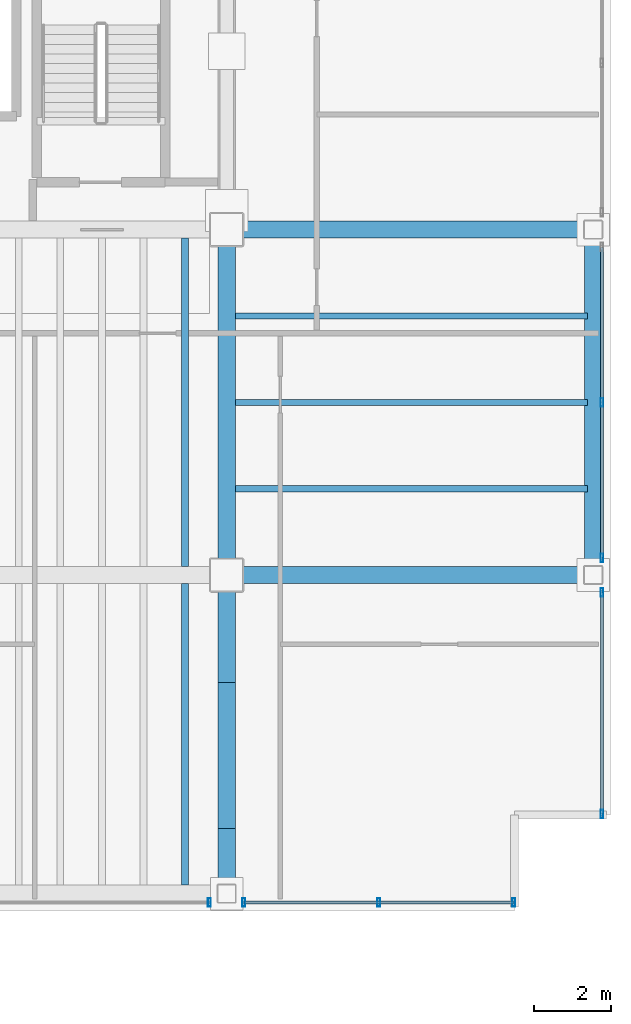
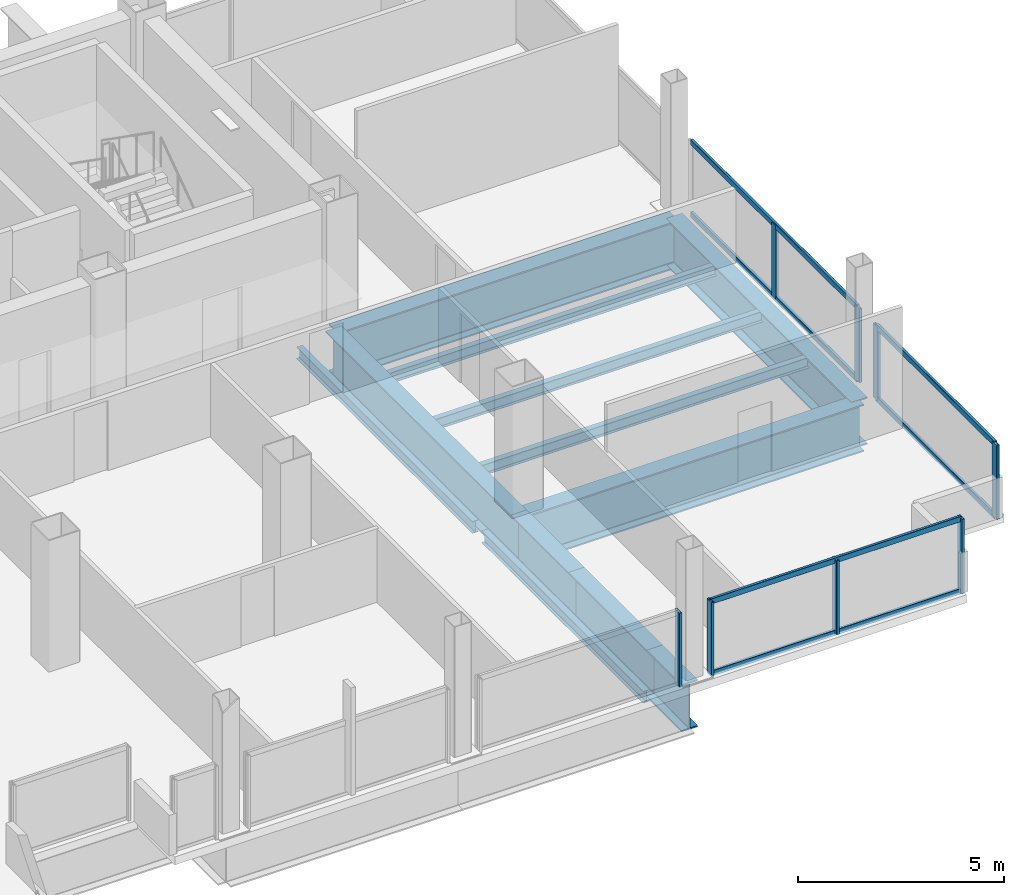
# One storey, part 12 of 17: 14 members, 12 beams, 4 elements without a shape of their own.
"""IFC4 building model written with IfcOpenShell, lengths in metres."""

from ifc_helpers import new_model, si_unit, direction, frame, origin, origin_2d, place, context, subcontext, project, spatial, hollow_rectangle, i_section, extrude, material, material_profile, profile_set, type_object, element, aggregate, save


model = new_model("IFC4")

# Units and contexts
model_context = context("Model", 3, precision=1e-05, world=origin(), true_north=direction((0.0, 1.0)))
body_context = subcontext(model_context, "Body", "Model", "MODEL_VIEW")
ifc_project = project(units=[si_unit("LENGTHUNIT", "METRE"), si_unit("AREAUNIT", "SQUARE_METRE"), si_unit("VOLUMEUNIT", "CUBIC_METRE"), si_unit("PLANEANGLEUNIT", "RADIAN"), si_unit("MASSUNIT", "GRAM", prefix="KILO")], contexts=[model_context])

# Site, building, storey
site_placement = place(None, origin())
site = spatial("IfcSite", under=ifc_project, at=site_placement, CompositionType="ELEMENT")
building_placement = place(site_placement, origin())
building = spatial("IfcBuilding", under=site, at=building_placement, Name="Noeulbin Bourse Tower", CompositionType="ELEMENT")
storey_placement = place(building_placement, frame((0.0, 0.0, 196.800048828125)))
storey = spatial("IfcBuildingStorey", under=building, at=storey_placement, Name="L49", CompositionType="ELEMENT", Elevation=196.800048828125)

# Beams
ifc_material_1 = material(Name="Steel S355", Category="steel")
ifc_material_profile_1 = material_profile(ifc_material_1, i_section(OverallWidth=0.159912109375, OverallDepth=0.320068359375, WebThickness=0.006591796875, FlangeThickness=0.010009765625, FilletRadius=0.012939453125, at=origin_2d()), Name="H-320x160x6.5x10", Category="LoadBearing")
ifc_profile_set_1 = profile_set([ifc_material_profile_1], Name="Steel S355")
beam_type_1 = type_object("IfcBeamType", Name="BM-JST-320", PredefinedType="JOIST", material=ifc_profile_set_1)
for number, where, z_axis, x_axis, name in (
    (1, (44.22509765625, 22.25, -0.400146484375), (1.0, 0.0, 0.0), (0.0, 1.0, 0.0), "Wing Composite Joist L49-E50"),
    (2, (44.22509765625, 24.5, -0.400146484375), (1.0, 0.0, 0.0), (0.0, 1.0, 0.0), "Wing Composite Joist L49-E51"),
    (3, (44.22509765625, 26.75, -0.400146484375), (1.0, 0.0, 0.0), (0.0, 1.0, 0.0), "Wing Composite Joist L49-E52"),
):
    element("IfcBeam", number, at=place(storey_placement, frame(where, z_axis=z_axis, x_axis=x_axis)), inside=storey, type_object=beam_type_1, Name=name, PredefinedType="JOIST", context=body_context, shape_type="SweptSolid", body=[
        extrude(i_section(OverallWidth=0.159912109375, OverallDepth=0.320068359375, WebThickness=0.006591796875, FlangeThickness=0.010009765625, FilletRadius=0.012939453125, at=origin_2d()), origin(), (0.0, 0.0, 1.0), 9.1748046875),
    ])
ifc_material_profile_2 = material_profile(ifc_material_1, i_section(OverallWidth=0.175048828125, OverallDepth=0.35009765625, WebThickness=0.007080078125, FlangeThickness=0.010986328125, FilletRadius=0.013916015625, at=origin_2d()), Name="H-350x175x7x11", Category="LoadBearing")
ifc_profile_set_2 = profile_set([ifc_material_profile_2], Name="Steel S355")
beam_type_2 = type_object("IfcBeamType", Name="BM-JST-350", PredefinedType="JOIST", material=ifc_profile_set_2)
beam_1_placement = place(storey_placement, frame((42.916748046875, 11.925048828125, -0.4150390625), z_axis=(0.0, 1.0, 0.0), x_axis=(-1.0, 0.0, 0.0)))
element("IfcBeam", 4, at=beam_1_placement, inside=storey, type_object=beam_type_2, Name="Tower Composite Joist L49-45", PredefinedType="JOIST", context=body_context, shape_type="SweptSolid", body=[
    extrude(i_section(OverallWidth=0.175048828125, OverallDepth=0.35009765625, WebThickness=0.007080078125, FlangeThickness=0.010986328125, FilletRadius=0.013916015625, at=origin_2d()), origin(), (0.0, 0.0, 1.0), 7.849853515625),
])
beam_2_placement = place(storey_placement, frame((42.916748046875, 20.22509765625, -0.4150390625), z_axis=(0.0, 1.0, 0.0), x_axis=(-1.0, 0.0, 0.0)))
element("IfcBeam", 5, at=beam_2_placement, inside=storey, type_object=beam_type_2, Name="Tower Composite Joist L49-46", PredefinedType="JOIST", context=body_context, shape_type="SweptSolid", body=[
    extrude(i_section(OverallWidth=0.175048828125, OverallDepth=0.35009765625, WebThickness=0.007080078125, FlangeThickness=0.010986328125, FilletRadius=0.013916015625, at=origin_2d()), origin(), (0.0, 0.0, 1.0), 8.5498046875),
])
ifc_material_2 = material(Name="Steel S460", Category="steel")
ifc_material_profile_3 = material_profile(ifc_material_2, i_section(OverallWidth=0.449951171875, OverallDepth=1.39990234375, WebThickness=0.02392578125, FlangeThickness=0.0400390625, FilletRadius=0.02392578125, at=origin_2d()), Name="PG-1400x450x24x40", Category="LoadBearing")
ifc_profile_set_3 = profile_set([ifc_material_profile_3], Name="Steel S460")
beam_type_3 = type_object("IfcBeamType", Name="BM-TRF-1400", PredefinedType="USERDEFINED", material=ifc_profile_set_3)
for number, where, z_axis, x_axis, name in (
    (6, (44.0, 20.0, -0.93994140625), (1.0, 0.0, 0.0), (0.0, 1.0, 0.0), "Tower Primary Girder EW L49-1.6"),
    (7, (44.0, 29.0, -0.93994140625), (1.0, 0.0, 0.0), (0.0, 1.0, 0.0), "Tower Primary Girder EW L49-2.6"),
):
    element("IfcBeam", number, at=place(storey_placement, frame(where, z_axis=z_axis, x_axis=x_axis)), inside=storey, type_object=beam_type_3, Name=name, ObjectType="GIRDER", PredefinedType="USERDEFINED", context=body_context, shape_type="SweptSolid", body=[
        extrude(i_section(OverallWidth=0.449951171875, OverallDepth=1.39990234375, WebThickness=0.02392578125, FlangeThickness=0.0400390625, FilletRadius=0.02392578125, at=origin_2d()), origin(), (0.0, 0.0, 1.0), 9.550048828125),
    ])
beam_3_placement = place(storey_placement, frame((44.0, 11.699951171875, -0.93994140625), z_axis=(0.0, 1.0, 0.0), x_axis=(-1.0, 0.0, 0.0)))
element("IfcBeam", 8, at=beam_3_placement, inside=storey, type_object=beam_type_3, Name="Tower Primary Girder NS L49-5.1", ObjectType="GIRDER", PredefinedType="USERDEFINED", context=body_context, shape_type="SweptSolid", body=[
    extrude(i_section(OverallWidth=0.449951171875, OverallDepth=1.39990234375, WebThickness=0.02392578125, FlangeThickness=0.0400390625, FilletRadius=0.02392578125, at=origin_2d()), origin(), (0.0, 0.0, 1.0), 1.699951171875),
])
beam_4_placement = place(storey_placement, frame((44.0, 13.39990234375, -0.93994140625), z_axis=(0.0, 1.0, 0.0), x_axis=(-1.0, 0.0, 0.0)))
element("IfcBeam", 9, at=beam_4_placement, inside=storey, type_object=beam_type_3, Name="Tower Primary Girder NS L49-5.2", ObjectType="GIRDER", PredefinedType="USERDEFINED", context=body_context, shape_type="SweptSolid", body=[
    extrude(i_section(OverallWidth=0.449951171875, OverallDepth=1.39990234375, WebThickness=0.02392578125, FlangeThickness=0.0400390625, FilletRadius=0.02392578125, at=origin_2d()), origin(), (0.0, 0.0, 1.0), 3.800048828125),
])
beam_5_placement = place(storey_placement, frame((44.0, 17.199951171875, -0.93994140625), z_axis=(0.0, 1.0, 0.0), x_axis=(-1.0, 0.0, 0.0)))
element("IfcBeam", 10, at=beam_5_placement, inside=storey, type_object=beam_type_3, Name="Tower Primary Girder NS L49-5.3", ObjectType="GIRDER", PredefinedType="USERDEFINED", context=body_context, shape_type="SweptSolid", body=[
    extrude(i_section(OverallWidth=0.449951171875, OverallDepth=1.39990234375, WebThickness=0.02392578125, FlangeThickness=0.0400390625, FilletRadius=0.02392578125, at=origin_2d()), origin(), (0.0, 0.0, 1.0), 2.800048828125),
])
for number, where, z_axis, x_axis, name in (
    (11, (44.0, 20.0, -0.93994140625), (0.0, 1.0, 0.0), (-1.0, 0.0, 0.0), "Tower Primary Girder NS L49-5.4"),
    (12, (53.550048828125, 20.0, -0.93994140625), (0.0, 1.0, 0.0), (-1.0, 0.0, 0.0), "East Spandrel L49-1"),
):
    element("IfcBeam", number, at=place(storey_placement, frame(where, z_axis=z_axis, x_axis=x_axis)), inside=storey, type_object=beam_type_3, Name=name, ObjectType="GIRDER", PredefinedType="USERDEFINED", context=body_context, shape_type="SweptSolid", body=[
        extrude(i_section(OverallWidth=0.449951171875, OverallDepth=1.39990234375, WebThickness=0.02392578125, FlangeThickness=0.0400390625, FilletRadius=0.02392578125, at=origin_2d()), origin(), (0.0, 0.0, 1.0), 9.0),
    ])

# Curtain wall, member
ifc_material_3 = material(Name="Dark Tinted Triple Glazing", Category="glass")
curtain_wall_type = type_object("IfcCurtainWallType", Name="CW-SYS-3", PredefinedType="NOTDEFINED", material=ifc_material_3)
curtain_wall_1_placement = place(storey_placement, origin())
curtain_wall_1 = element("IfcCurtainWall", 13, at=curtain_wall_1_placement, inside=storey, type_object=curtain_wall_type, Name="Unitised Curtain Wall CW-L49-S3-S3", PredefinedType="NOTDEFINED")
ifc_material_4 = material(Name="Anodised Aluminium 6063-T6", Category="aluminium")
ifc_material_profile_4 = material_profile(ifc_material_4, hollow_rectangle(XDim=0.074951171875, YDim=0.219970703125, WallThickness=0.0048828125, InnerFilletRadius=0.00244140625, OuterFilletRadius=0.0048828125, at=origin_2d()), Name="ALU-MULL-75x220x5", Category="LoadBearing")
ifc_profile_set_4 = profile_set([ifc_material_profile_4], Name="Anodised Aluminium 6063-T6")
member_type_1 = type_object("IfcMemberType", Name="CW-SYS-3-MUL", PredefinedType="MULLION", material=ifc_profile_set_4)
member_1_placement = place(storey_placement, frame((43.550048828125, 11.469970703125, -0.02001953125), z_axis=(0.0, 0.0, 1.0), x_axis=(1.0, 0.0, 0.0)))
member_1 = element("IfcMember", 14, at=member_1_placement, type_object=member_type_1, Name="Curtain Wall Mullion CW-L49-S3-S3-M01", PredefinedType="MULLION", context=body_context, shape_type="SweptSolid", body=[
    extrude(hollow_rectangle(XDim=0.074951171875, YDim=0.219970703125, WallThickness=0.0048828125, InnerFilletRadius=0.00244140625, OuterFilletRadius=0.0048828125, at=origin_2d()), origin(), (0.0, 0.0, 1.0), 2.199951171875),
])
aggregate(curtain_wall_1, [member_1])

# Curtain wall, members
curtain_wall_2_placement = place(storey_placement, origin())
curtain_wall_2 = element("IfcCurtainWall", 15, at=curtain_wall_2_placement, inside=storey, type_object=curtain_wall_type, Name="Unitised Curtain Wall CW-L49-S3-S4", PredefinedType="NOTDEFINED")
member_2_placement = place(storey_placement, frame((44.449951171875, 11.469970703125, -0.02001953125), z_axis=(0.0, 0.0, 1.0), x_axis=(1.0, 0.0, 0.0)))
member_2 = element("IfcMember", 16, at=member_2_placement, type_object=member_type_1, Name="Curtain Wall Mullion CW-L49-S3-S4-M00", PredefinedType="MULLION", context=body_context, shape_type="SweptSolid", body=[
    extrude(hollow_rectangle(XDim=0.074951171875, YDim=0.219970703125, WallThickness=0.0048828125, InnerFilletRadius=0.00244140625, OuterFilletRadius=0.0048828125, at=origin_2d()), origin(), (0.0, 0.0, 1.0), 2.199951171875),
])
member_3_placement = place(storey_placement, frame((47.965087890625, 11.469970703125, -0.02001953125), z_axis=(0.0, 0.0, 1.0), x_axis=(1.0, 0.0, 0.0)))
member_3 = element("IfcMember", 17, at=member_3_placement, type_object=member_type_1, Name="Curtain Wall Mullion CW-L49-S3-S4-M01", PredefinedType="MULLION", context=body_context, shape_type="SweptSolid", body=[
    extrude(hollow_rectangle(XDim=0.074951171875, YDim=0.219970703125, WallThickness=0.0048828125, InnerFilletRadius=0.00244140625, OuterFilletRadius=0.0048828125, at=origin_2d()), origin(), (0.0, 0.0, 1.0), 2.199951171875),
])
member_4_placement = place(storey_placement, frame((51.47998046875, 11.469970703125, -0.02001953125), z_axis=(0.0, 0.0, 1.0), x_axis=(1.0, 0.0, 0.0)))
member_4 = element("IfcMember", 18, at=member_4_placement, type_object=member_type_1, Name="Curtain Wall Mullion CW-L49-S3-S4-M02", PredefinedType="MULLION", context=body_context, shape_type="SweptSolid", body=[
    extrude(hollow_rectangle(XDim=0.074951171875, YDim=0.219970703125, WallThickness=0.0048828125, InnerFilletRadius=0.00244140625, OuterFilletRadius=0.0048828125, at=origin_2d()), origin(), (0.0, 0.0, 1.0), 2.199951171875),
])

curtain_wall_3_placement = place(storey_placement, origin())
curtain_wall_3 = element("IfcCurtainWall", 19, at=curtain_wall_3_placement, inside=storey, type_object=curtain_wall_type, Name="Unitised Curtain Wall CW-L49-E-S1", PredefinedType="NOTDEFINED")
member_5_placement = place(storey_placement, frame((53.780029296875, 13.77001953125, -0.02001953125), z_axis=(0.0, 0.0, 1.0), x_axis=(1.0, 0.0, 0.0)))
member_5 = element("IfcMember", 20, at=member_5_placement, type_object=member_type_1, Name="Curtain Wall Mullion CW-L49-E-S1-M00", PredefinedType="MULLION", context=body_context, shape_type="SweptSolid", body=[
    extrude(hollow_rectangle(XDim=0.074951171875, YDim=0.219970703125, WallThickness=0.0048828125, InnerFilletRadius=0.00244140625, OuterFilletRadius=0.0048828125, at=origin_2d()), origin(), (0.0, 0.0, 1.0), 2.199951171875),
])
member_6_placement = place(storey_placement, frame((53.780029296875, 19.550048828125, -0.02001953125), z_axis=(0.0, 0.0, 1.0), x_axis=(1.0, 0.0, 0.0)))
member_6 = element("IfcMember", 21, at=member_6_placement, type_object=member_type_1, Name="Curtain Wall Mullion CW-L49-E-S1-M01", PredefinedType="MULLION", context=body_context, shape_type="SweptSolid", body=[
    extrude(hollow_rectangle(XDim=0.074951171875, YDim=0.219970703125, WallThickness=0.0048828125, InnerFilletRadius=0.00244140625, OuterFilletRadius=0.0048828125, at=origin_2d()), origin(), (0.0, 0.0, 1.0), 2.199951171875),
])

curtain_wall_4_placement = place(storey_placement, origin())
curtain_wall_4 = element("IfcCurtainWall", 22, at=curtain_wall_4_placement, inside=storey, type_object=curtain_wall_type, Name="Unitised Curtain Wall CW-L49-E-S2", PredefinedType="NOTDEFINED")
member_7_placement = place(storey_placement, frame((53.780029296875, 20.449951171875, -0.02001953125), z_axis=(0.0, 0.0, 1.0), x_axis=(1.0, 0.0, 0.0)))
member_7 = element("IfcMember", 23, at=member_7_placement, type_object=member_type_1, Name="Curtain Wall Mullion CW-L49-E-S2-M00", PredefinedType="MULLION", context=body_context, shape_type="SweptSolid", body=[
    extrude(hollow_rectangle(XDim=0.074951171875, YDim=0.219970703125, WallThickness=0.0048828125, InnerFilletRadius=0.00244140625, OuterFilletRadius=0.0048828125, at=origin_2d()), origin(), (0.0, 0.0, 1.0), 2.199951171875),
])
member_8_placement = place(storey_placement, frame((53.780029296875, 24.5, -0.02001953125), z_axis=(0.0, 0.0, 1.0), x_axis=(1.0, 0.0, 0.0)))
member_8 = element("IfcMember", 24, at=member_8_placement, type_object=member_type_1, Name="Curtain Wall Mullion CW-L49-E-S2-M01", PredefinedType="MULLION", context=body_context, shape_type="SweptSolid", body=[
    extrude(hollow_rectangle(XDim=0.074951171875, YDim=0.219970703125, WallThickness=0.0048828125, InnerFilletRadius=0.00244140625, OuterFilletRadius=0.0048828125, at=origin_2d()), origin(), (0.0, 0.0, 1.0), 2.199951171875),
])

# Member
ifc_material_profile_5 = material_profile(ifc_material_4, hollow_rectangle(XDim=0.074951171875, YDim=0.159912109375, WallThickness=0.0048828125, InnerFilletRadius=0.00244140625, OuterFilletRadius=0.0048828125, at=origin_2d()), Name="ALU-TRAN-75x160x5", Category="LoadBearing")
ifc_profile_set_5 = profile_set([ifc_material_profile_5], Name="Anodised Aluminium 6063-T6")
member_type_2 = type_object("IfcMemberType", Name="CW-SYS-3-TRN", PredefinedType="USERDEFINED", material=ifc_profile_set_5)
member_9_placement = place(storey_placement, frame((44.4599609375, 11.469970703125, 0.010009765625), z_axis=(1.0, 0.0, 0.0), x_axis=(0.0, 1.0, 0.0)))
member_9 = element("IfcMember", 25, at=member_9_placement, type_object=member_type_2, Name="Curtain Wall Transom CW-L49-S3-S4-T00", ObjectType="TRANSOM", PredefinedType="USERDEFINED", context=body_context, shape_type="SweptSolid", body=[
    extrude(hollow_rectangle(XDim=0.074951171875, YDim=0.159912109375, WallThickness=0.0048828125, InnerFilletRadius=0.00244140625, OuterFilletRadius=0.0048828125, at=origin_2d()), origin(), (0.0, 0.0, 1.0), 7.010009765625),
])

member_10_placement = place(storey_placement, frame((44.4599609375, 11.469970703125, 2.14990234375), z_axis=(1.0, 0.0, 0.0), x_axis=(0.0, 1.0, 0.0)))
member_10 = element("IfcMember", 26, at=member_10_placement, type_object=member_type_2, Name="Curtain Wall Transom CW-L49-S3-S4-T01", ObjectType="TRANSOM", PredefinedType="USERDEFINED", context=body_context, shape_type="SweptSolid", body=[
    extrude(hollow_rectangle(XDim=0.074951171875, YDim=0.159912109375, WallThickness=0.0048828125, InnerFilletRadius=0.00244140625, OuterFilletRadius=0.0048828125, at=origin_2d()), origin(), (0.0, 0.0, 1.0), 7.010009765625),
])

aggregate(curtain_wall_2, [member_2, member_3, member_4, member_9, member_10])

member_11_placement = place(storey_placement, frame((53.780029296875, 13.780029296875, 0.010009765625), z_axis=(0.0, 1.0, 0.0), x_axis=(-1.0, 0.0, 0.0)))
member_11 = element("IfcMember", 27, at=member_11_placement, type_object=member_type_2, Name="Curtain Wall Transom CW-L49-E-S1-T00", ObjectType="TRANSOM", PredefinedType="USERDEFINED", context=body_context, shape_type="SweptSolid", body=[
    extrude(hollow_rectangle(XDim=0.074951171875, YDim=0.159912109375, WallThickness=0.0048828125, InnerFilletRadius=0.00244140625, OuterFilletRadius=0.0048828125, at=origin_2d()), origin(), (0.0, 0.0, 1.0), 5.760009765625),
])

member_12_placement = place(storey_placement, frame((53.780029296875, 13.780029296875, 2.14990234375), z_axis=(0.0, 1.0, 0.0), x_axis=(-1.0, 0.0, 0.0)))
member_12 = element("IfcMember", 28, at=member_12_placement, type_object=member_type_2, Name="Curtain Wall Transom CW-L49-E-S1-T01", ObjectType="TRANSOM", PredefinedType="USERDEFINED", context=body_context, shape_type="SweptSolid", body=[
    extrude(hollow_rectangle(XDim=0.074951171875, YDim=0.159912109375, WallThickness=0.0048828125, InnerFilletRadius=0.00244140625, OuterFilletRadius=0.0048828125, at=origin_2d()), origin(), (0.0, 0.0, 1.0), 5.760009765625),
])

aggregate(curtain_wall_3, [member_5, member_6, member_11, member_12])

member_13_placement = place(storey_placement, frame((53.780029296875, 20.4599609375, 0.010009765625), z_axis=(0.0, 1.0, 0.0), x_axis=(-1.0, 0.0, 0.0)))
member_13 = element("IfcMember", 29, at=member_13_placement, type_object=member_type_2, Name="Curtain Wall Transom CW-L49-E-S2-T00", ObjectType="TRANSOM", PredefinedType="USERDEFINED", context=body_context, shape_type="SweptSolid", body=[
    extrude(hollow_rectangle(XDim=0.074951171875, YDim=0.159912109375, WallThickness=0.0048828125, InnerFilletRadius=0.00244140625, OuterFilletRadius=0.0048828125, at=origin_2d()), origin(), (0.0, 0.0, 1.0), 8.080078125),
])

member_14_placement = place(storey_placement, frame((53.780029296875, 20.4599609375, 2.14990234375), z_axis=(0.0, 1.0, 0.0), x_axis=(-1.0, 0.0, 0.0)))
member_14 = element("IfcMember", 30, at=member_14_placement, type_object=member_type_2, Name="Curtain Wall Transom CW-L49-E-S2-T01", ObjectType="TRANSOM", PredefinedType="USERDEFINED", context=body_context, shape_type="SweptSolid", body=[
    extrude(hollow_rectangle(XDim=0.074951171875, YDim=0.159912109375, WallThickness=0.0048828125, InnerFilletRadius=0.00244140625, OuterFilletRadius=0.0048828125, at=origin_2d()), origin(), (0.0, 0.0, 1.0), 8.080078125),
])

aggregate(curtain_wall_4, [member_7, member_8, member_13, member_14])

save(model, "model.ifc")
